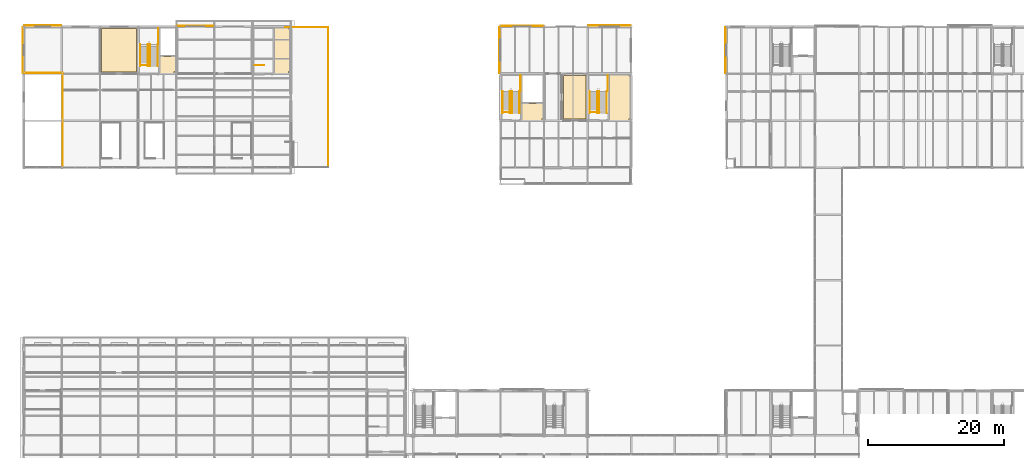
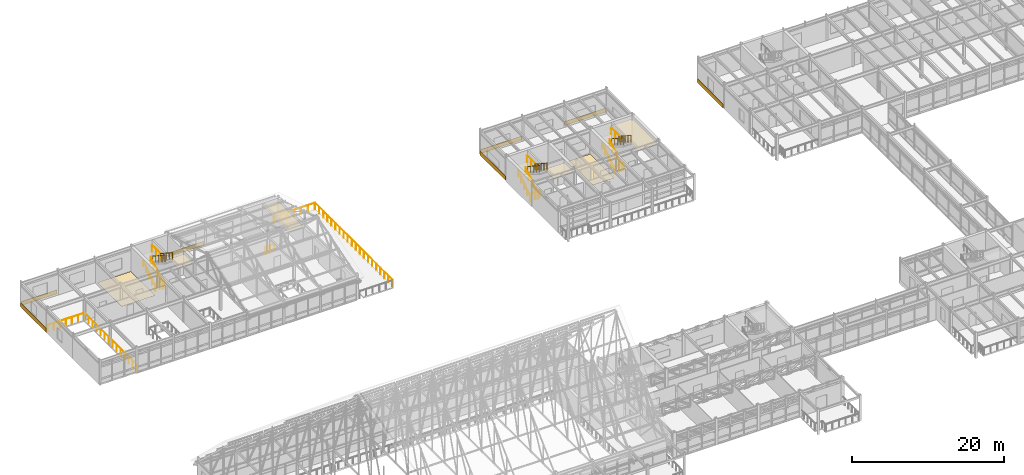
# One storey, part 143 of 144: 23 railings, 13 coverings.
"""IFC4 building model written with IfcOpenShell, lengths in metres."""

from ifc_helpers import new_model, si_unit, direction, frame, origin, origin_2d, place, context, subcontext, project, spatial, polyline, rectangle, circle, outline, extrude, material, layer, layer_set, type_object, element, save


model = new_model("IFC4")

# Units and contexts
model_context = context("Model", 3, precision=1e-05, world=origin(), true_north=direction((0.0, 1.0)))
body_context = subcontext(model_context, "Body", "Model", "MODEL_VIEW")
ifc_project = project(units=[si_unit("LENGTHUNIT", "METRE"), si_unit("AREAUNIT", "SQUARE_METRE"), si_unit("VOLUMEUNIT", "CUBIC_METRE"), si_unit("PLANEANGLEUNIT", "RADIAN"), si_unit("MASSUNIT", "GRAM", prefix="KILO")], contexts=[model_context])

# Site, building, storey
site_placement = place(None, origin())
site = spatial("IfcSite", under=ifc_project, at=site_placement, CompositionType="ELEMENT")
building_placement = place(site_placement, origin())
building = spatial("IfcBuilding", under=site, at=building_placement, Name="Trelmorton Wharf Fire Station", CompositionType="ELEMENT")
storey_placement = place(building_placement, frame((0.0, 0.0, 5.39990234375)))
storey = spatial("IfcBuildingStorey", under=building, at=storey_placement, Name="L01", CompositionType="ELEMENT", Elevation=5.39990234375)

# Coverings
ifc_material_1 = material(Name="Mineral fibre acoustic ceiling")
ifc_layer_1 = layer(ifc_material_1, 0.02001953125)
ifc_layer_set_1 = layer_set([ifc_layer_1], Name="Mineral fibre acoustic ceiling")
covering_type_1 = type_object("IfcCoveringType", Name="CV_CEIL_ACOU", PredefinedType="CEILING", material=ifc_layer_set_1)
covering_1_placement = place(storey_placement, frame((0.0, 0.0, 3.280029296875)))
element("IfcCovering", 1, at=covering_1_placement, inside=storey, type_object=covering_type_1, Name="CV-CLG-030", PredefinedType="CEILING", context=body_context, shape_type="SweptSolid", body=[
    extrude(outline(polyline([(20.760009765625, 74.139892578125), (20.760009765625, 76.659912109375), (23.159912109375, 76.659912109375), (23.159912109375, 74.39990234375), (22.89990234375, 74.39990234375), (22.89990234375, 74.139892578125), (20.760009765625, 74.139892578125)])), origin(), (0.0, 0.0, 1.0), 0.02001953125),
])
covering_2_placement = place(storey_placement, frame((0.0, 0.0, 3.280029296875)))
element("IfcCovering", 2, at=covering_2_placement, inside=storey, type_object=covering_type_1, Name="CV-CLG-033", PredefinedType="CEILING", context=body_context, shape_type="SweptSolid", body=[
    extrude(outline(polyline([(37.56005859375, 80.9599609375), (39.699951171875, 80.9599609375), (39.699951171875, 80.699951171875), (39.9599609375, 80.699951171875), (39.9599609375, 74.39990234375), (39.699951171875, 74.39990234375), (39.699951171875, 74.139892578125), (37.56005859375, 74.139892578125), (37.56005859375, 80.9599609375)])), origin(), (0.0, 0.0, 1.0), 0.02001953125),
])
covering_3_placement = place(storey_placement, frame((0.0, 0.0, 3.280029296875)))
element("IfcCovering", 3, at=covering_3_placement, inside=storey, type_object=covering_type_1, Name="CV-CLG-035", PredefinedType="CEILING", context=body_context, shape_type="SweptSolid", body=[
    extrude(outline(polyline([(73.9599609375, 67.239990234375), (73.9599609375, 69.760009765625), (77.159912109375, 69.760009765625), (77.159912109375, 67.5), (76.89990234375, 67.5), (76.89990234375, 67.239990234375), (73.9599609375, 67.239990234375)])), origin(), (0.0, 0.0, 1.0), 0.02001953125),
])
covering_4_placement = place(storey_placement, frame((0.0, 0.0, 3.280029296875)))
element("IfcCovering", 4, at=covering_4_placement, inside=storey, type_object=covering_type_1, Name="CV-CLG-042", PredefinedType="CEILING", context=body_context, shape_type="SweptSolid", body=[
    extrude(outline(polyline([(86.760009765625, 74.06005859375), (89.699951171875, 74.06005859375), (89.699951171875, 73.800048828125), (89.9599609375, 73.800048828125), (89.9599609375, 67.5), (89.699951171875, 67.5), (89.699951171875, 67.239990234375), (86.760009765625, 67.239990234375), (86.760009765625, 74.06005859375)])), origin(), (0.0, 0.0, 1.0), 0.02001953125),
])
ifc_material_2 = material(Name="Architectural terracotta cladding", Category="masonry")
ifc_layer_2 = layer(ifc_material_2, 0.044921875)
ifc_layer_set_2 = layer_set([ifc_layer_2], Name="Architectural terracotta cladding")
covering_type_2 = type_object("IfcCoveringType", Name="CV_CLAD_TER", PredefinedType="CLADDING", material=ifc_layer_set_2)
for number, where, z_axis, x_axis, name in (
    (5, (3.60009765625, 81.1650390625, 0.0302734375), (0.0, 0.0, 1.0), (1.0, 0.0, 0.0), "CV-TER-0023"),
    (6, (26.0, 81.135009765625, 0.0302734375), (0.0, 0.0, 1.0), (1.0, 0.0, 0.0), "CV-TER-0024"),
):
    element("IfcCovering", number, at=place(storey_placement, frame(where, z_axis=z_axis, x_axis=x_axis)), inside=storey, type_object=covering_type_2, Name=name, PredefinedType="CLADDING", context=body_context, shape_type="SweptSolid", body=[
        extrude(rectangle(XDim=5.469970703125, YDim=0.044921875, at=origin_2d()), origin(), (0.0, 0.0, 1.0), 0.659912109375),
    ])
covering_5_placement = place(storey_placement, frame((0.6650390625, 77.550048828125, 0.0302734375), z_axis=(0.0, 0.0, 1.0), x_axis=(0.0, 1.0, 0.0)))
element("IfcCovering", 7, at=covering_5_placement, inside=storey, type_object=covering_type_2, Name="CV-TER-0026", PredefinedType="CLADDING", context=body_context, shape_type="SweptSolid", body=[
    extrude(rectangle(XDim=6.77001953125, YDim=0.044921875, at=origin_2d()), origin(), (0.0, 0.0, 1.0), 0.659912109375),
])
for number, where, z_axis, x_axis, name in (
    (8, (74.0, 81.135009765625, 0.0302734375), (0.0, 0.0, 1.0), (1.0, 0.0, 0.0), "CV-TER-0028"),
    (9, (86.800048828125, 81.1650390625, 0.0302734375), (0.0, 0.0, 1.0), (1.0, 0.0, 0.0), "CV-TER-0029"),
):
    element("IfcCovering", number, at=place(storey_placement, frame(where, z_axis=z_axis, x_axis=x_axis)), inside=storey, type_object=covering_type_2, Name=name, PredefinedType="CLADDING", context=body_context, shape_type="SweptSolid", body=[
        extrude(rectangle(XDim=6.27001953125, YDim=0.044921875, at=origin_2d()), origin(), (0.0, 0.0, 1.0), 0.659912109375),
    ])
for number, where, z_axis, x_axis, name in (
    (10, (70.6650390625, 77.550048828125, 0.0302734375), (0.0, 0.0, 1.0), (0.0, 1.0, 0.0), "CV-TER-0030"),
    (11, (103.8349609375, 77.550048828125, 0.0302734375), (0.0, 0.0, 1.0), (0.0, 1.0, 0.0), "CV-TER-0041"),
):
    element("IfcCovering", number, at=place(storey_placement, frame(where, z_axis=z_axis, x_axis=x_axis)), inside=storey, type_object=covering_type_2, Name=name, PredefinedType="CLADDING", context=body_context, shape_type="SweptSolid", body=[
        extrude(rectangle(XDim=6.77001953125, YDim=0.044921875, at=origin_2d()), origin(), (0.0, 0.0, 1.0), 0.659912109375),
    ])
ifc_material_3 = material(Name="Quarry tile wet-area flooring")
ifc_layer_3 = layer(ifc_material_3, 0.02001953125)
ifc_layer_set_3 = layer_set([ifc_layer_3], Name="Quarry tile wet-area flooring")
covering_type_3 = type_object("IfcCoveringType", Name="CV_FLOR_TILE", PredefinedType="FLOORING", material=ifc_layer_set_3)
covering_6_placement = place(storey_placement, origin())
element("IfcCovering", 12, at=covering_6_placement, inside=storey, type_object=covering_type_3, Name="CV-FLR-021", PredefinedType="FLOORING", context=body_context, shape_type="SweptSolid", body=[
    extrude(outline(polyline([(17.35009765625, 74.35009765625), (17.35009765625, 80.75), (12.25, 80.75), (12.25, 74.35009765625), (17.35009765625, 74.35009765625)])), origin(), (0.0, 0.0, 1.0), 0.02001953125),
])
covering_7_placement = place(storey_placement, origin())
element("IfcCovering", 13, at=covering_7_placement, inside=storey, type_object=covering_type_3, Name="CV-FLR-023", PredefinedType="FLOORING", context=body_context, shape_type="SweptSolid", body=[
    extrude(outline(polyline([(83.35009765625, 67.449951171875), (83.35009765625, 73.85009765625), (80.050048828125, 73.85009765625), (80.050048828125, 67.449951171875), (83.35009765625, 67.449951171875)])), origin(), (0.0, 0.0, 1.0), 0.02001953125),
])

# Railings
ifc_material_4 = material(Name="Stainless steel 316 marine grade", Category="steel")
railing_type_1 = type_object("IfcRailingType", Name="RL_BAL_TERR", PredefinedType="BALUSTRADE", material=ifc_material_4)
railing_1_placement = place(storey_placement, frame((0.919921875, 74.219970703125, 0.0)))
element("IfcRailing", 14, at=railing_1_placement, inside=storey, type_object=railing_type_1, Name="RL-DECK-L01-004", PredefinedType="BALUSTRADE", context=body_context, shape_type="SweptSolid", body=[
    extrude(circle(Radius=0.02392578125, at=origin_2d()), frame((0.0, 0.0, 1.09619140625), z_axis=(1.0, 0.0, 0.0), x_axis=(0.0, 1.0, 0.0)), (0.0, 0.0, 1.0), 5.56005859375),
    extrude(circle(Radius=0.02099609375, at=origin_2d()), origin(), (0.0, 0.0, 1.0), 1.072021484375),
    extrude(circle(Radius=0.02099609375, at=origin_2d()), frame((0.9267578125, 0.0, 0.0)), (0.0, 0.0, 1.0), 1.072021484375),
    extrude(circle(Radius=0.02099609375, at=origin_2d()), frame((1.853271484375, 0.0, 0.0)), (0.0, 0.0, 1.0), 1.072021484375),
    extrude(circle(Radius=0.02099609375, at=origin_2d()), frame((2.780029296875, 0.0, 0.0)), (0.0, 0.0, 1.0), 1.072021484375),
    extrude(circle(Radius=0.02099609375, at=origin_2d()), frame((3.706787109375, 0.0, 0.0)), (0.0, 0.0, 1.0), 1.072021484375),
    extrude(circle(Radius=0.02099609375, at=origin_2d()), frame((4.63330078125, 0.0, 0.0)), (0.0, 0.0, 1.0), 1.072021484375),
    extrude(circle(Radius=0.02099609375, at=origin_2d()), frame((5.56005859375, 0.0, 0.0)), (0.0, 0.0, 1.0), 1.072021484375),
])
railing_2_placement = place(storey_placement, frame((6.52001953125, 74.179931640625, 0.0)))
element("IfcRailing", 15, at=railing_2_placement, inside=storey, type_object=railing_type_1, Name="RL-DECK-L01-005", PredefinedType="BALUSTRADE", context=body_context, shape_type="SweptSolid", body=[
    extrude(circle(Radius=0.02392578125, at=origin_2d()), frame((0.0, 0.0, 1.09619140625), z_axis=(0.0, -1.0, 0.0), x_axis=(1.0, 0.0, 0.0)), (0.0, 0.0, 1.0), 13.760009765625),
    extrude(circle(Radius=0.02099609375, at=origin_2d()), origin(), (0.0, 0.0, 1.0), 1.072021484375),
    extrude(circle(Radius=0.02099609375, at=origin_2d()), frame((0.0, -1.058349609375, 0.0)), (0.0, 0.0, 1.0), 1.072021484375),
    extrude(circle(Radius=0.02099609375, at=origin_2d()), frame((0.0, -2.116943359375, 0.0)), (0.0, 0.0, 1.0), 1.072021484375),
    extrude(circle(Radius=0.02099609375, at=origin_2d()), frame((0.0, -3.17529296875, 0.0)), (0.0, 0.0, 1.0), 1.072021484375),
    extrude(circle(Radius=0.02099609375, at=origin_2d()), frame((0.0, -4.23388671875, 0.0)), (0.0, 0.0, 1.0), 1.072021484375),
    extrude(circle(Radius=0.02099609375, at=origin_2d()), frame((0.0, -5.292236328125, 0.0)), (0.0, 0.0, 1.0), 1.072021484375),
    extrude(circle(Radius=0.02099609375, at=origin_2d()), frame((0.0, -6.350830078125, 0.0)), (0.0, 0.0, 1.0), 1.072021484375),
    extrude(circle(Radius=0.02099609375, at=origin_2d()), frame((0.0, -7.4091796875, 0.0)), (0.0, 0.0, 1.0), 1.072021484375),
    extrude(circle(Radius=0.02099609375, at=origin_2d()), frame((0.0, -8.4677734375, 0.0)), (0.0, 0.0, 1.0), 1.072021484375),
    extrude(circle(Radius=0.02099609375, at=origin_2d()), frame((0.0, -9.526123046875, 0.0)), (0.0, 0.0, 1.0), 1.072021484375),
    extrude(circle(Radius=0.02099609375, at=origin_2d()), frame((0.0, -10.584716796875, 0.0)), (0.0, 0.0, 1.0), 1.072021484375),
    extrude(circle(Radius=0.02099609375, at=origin_2d()), frame((0.0, -11.64306640625, 0.0)), (0.0, 0.0, 1.0), 1.072021484375),
    extrude(circle(Radius=0.02099609375, at=origin_2d()), frame((0.0, -12.70166015625, 0.0)), (0.0, 0.0, 1.0), 1.072021484375),
    extrude(circle(Radius=0.02099609375, at=origin_2d()), frame((0.0, -13.760009765625, 0.0)), (0.0, 0.0, 1.0), 1.072021484375),
])
railing_3_placement = place(storey_placement, frame((45.52001953125, 60.419921875, 0.0)))
element("IfcRailing", 16, at=railing_3_placement, inside=storey, type_object=railing_type_1, Name="RL-DECK-L01-044", PredefinedType="BALUSTRADE", context=body_context, shape_type="SweptSolid", body=[
    extrude(circle(Radius=0.02392578125, at=origin_2d()), frame((0.0, 0.0, 1.09619140625), z_axis=(0.0, 1.0, 0.0), x_axis=(-1.0, 0.0, 0.0)), (0.0, 0.0, 1.0), 20.4599609375),
    extrude(circle(Radius=0.02099609375, at=origin_2d()), origin(), (0.0, 0.0, 1.0), 1.072021484375),
    extrude(circle(Radius=0.02099609375, at=origin_2d()), frame((0.0, 1.076904296875, 0.0)), (0.0, 0.0, 1.0), 1.072021484375),
    extrude(circle(Radius=0.02099609375, at=origin_2d()), frame((0.0, 2.153564453125, 0.0)), (0.0, 0.0, 1.0), 1.072021484375),
    extrude(circle(Radius=0.02099609375, at=origin_2d()), frame((0.0, 3.23046875, 0.0)), (0.0, 0.0, 1.0), 1.072021484375),
    extrude(circle(Radius=0.02099609375, at=origin_2d()), frame((0.0, 4.307373046875, 0.0)), (0.0, 0.0, 1.0), 1.072021484375),
    extrude(circle(Radius=0.02099609375, at=origin_2d()), frame((0.0, 5.38427734375, 0.0)), (0.0, 0.0, 1.0), 1.072021484375),
    extrude(circle(Radius=0.02099609375, at=origin_2d()), frame((0.0, 6.4609375, 0.0)), (0.0, 0.0, 1.0), 1.072021484375),
    extrude(circle(Radius=0.02099609375, at=origin_2d()), frame((0.0, 7.537841796875, 0.0)), (0.0, 0.0, 1.0), 1.072021484375),
    extrude(circle(Radius=0.02099609375, at=origin_2d()), frame((0.0, 8.61474609375, 0.0)), (0.0, 0.0, 1.0), 1.072021484375),
    extrude(circle(Radius=0.02099609375, at=origin_2d()), frame((0.0, 9.691650390625, 0.0)), (0.0, 0.0, 1.0), 1.072021484375),
    extrude(circle(Radius=0.02099609375, at=origin_2d()), frame((0.0, 10.768310546875, 0.0)), (0.0, 0.0, 1.0), 1.072021484375),
    extrude(circle(Radius=0.02099609375, at=origin_2d()), frame((0.0, 11.84521484375, 0.0)), (0.0, 0.0, 1.0), 1.072021484375),
    extrude(circle(Radius=0.02099609375, at=origin_2d()), frame((0.0, 12.922119140625, 0.0)), (0.0, 0.0, 1.0), 1.072021484375),
    extrude(circle(Radius=0.02099609375, at=origin_2d()), frame((0.0, 13.9990234375, 0.0)), (0.0, 0.0, 1.0), 1.072021484375),
    extrude(circle(Radius=0.02099609375, at=origin_2d()), frame((0.0, 15.07568359375, 0.0)), (0.0, 0.0, 1.0), 1.072021484375),
    extrude(circle(Radius=0.02099609375, at=origin_2d()), frame((0.0, 16.152587890625, 0.0)), (0.0, 0.0, 1.0), 1.072021484375),
    extrude(circle(Radius=0.02099609375, at=origin_2d()), frame((0.0, 17.2294921875, 0.0)), (0.0, 0.0, 1.0), 1.072021484375),
    extrude(circle(Radius=0.02099609375, at=origin_2d()), frame((0.0, 18.306396484375, 0.0)), (0.0, 0.0, 1.0), 1.072021484375),
    extrude(circle(Radius=0.02099609375, at=origin_2d()), frame((0.0, 19.383056640625, 0.0)), (0.0, 0.0, 1.0), 1.072021484375),
    extrude(circle(Radius=0.02099609375, at=origin_2d()), frame((0.0, 20.4599609375, 0.0)), (0.0, 0.0, 1.0), 1.072021484375),
])
railing_4_placement = place(storey_placement, frame((45.47998046875, 80.919921875, 0.0)))
element("IfcRailing", 17, at=railing_4_placement, inside=storey, type_object=railing_type_1, Name="RL-DECK-L01-045", PredefinedType="BALUSTRADE", context=body_context, shape_type="SweptSolid", body=[
    extrude(circle(Radius=0.02392578125, at=origin_2d()), frame((0.0, 0.0, 1.09619140625), z_axis=(-1.0, 0.0, 0.0), x_axis=(0.0, -1.0, 0.0)), (0.0, 0.0, 1.0), 6.239990234375),
    extrude(circle(Radius=0.02099609375, at=origin_2d()), origin(), (0.0, 0.0, 1.0), 1.072021484375),
    extrude(circle(Radius=0.02099609375, at=origin_2d()), frame((-1.0400390625, 0.0, 0.0)), (0.0, 0.0, 1.0), 1.072021484375),
    extrude(circle(Radius=0.02099609375, at=origin_2d()), frame((-2.080078125, 0.0, 0.0)), (0.0, 0.0, 1.0), 1.072021484375),
    extrude(circle(Radius=0.02099609375, at=origin_2d()), frame((-3.1201171875, 0.0, 0.0)), (0.0, 0.0, 1.0), 1.072021484375),
    extrude(circle(Radius=0.02099609375, at=origin_2d()), frame((-4.159912109375, 0.0, 0.0)), (0.0, 0.0, 1.0), 1.072021484375),
    extrude(circle(Radius=0.02099609375, at=origin_2d()), frame((-5.199951171875, 0.0, 0.0)), (0.0, 0.0, 1.0), 1.072021484375),
    extrude(circle(Radius=0.02099609375, at=origin_2d()), frame((-6.239990234375, 0.0, 0.0)), (0.0, 0.0, 1.0), 1.072021484375),
])
railing_type_2 = type_object("IfcRailingType", Name="RL_HAND_900", PredefinedType="HANDRAIL", material=ifc_material_4)
for number, where, name in (
    (18, (17.909912109375, 75.239990234375, 0.0), "RL-HR1-STR-C5-L01-19"),
    (19, (71.110107421875, 68.340087890625, 0.0), "RL-HR1-STR-C6-L01-22"),
    (20, (83.909912109375, 68.340087890625, 0.0), "RL-HR1-STR-C6B-L01-28"),
):
    element("IfcRailing", number, at=place(storey_placement, frame(where)), inside=storey, type_object=railing_type_2, Name=name, PredefinedType="HANDRAIL", context=body_context, shape_type="SweptSolid", body=[
        extrude(circle(Radius=0.02099609375, at=origin_2d()), frame((0.0, 0.0, 0.87890625), z_axis=(0.0, 0.835242474824, 0.549881812983), x_axis=(-1.0, 0.0, 0.0)), (0.0, 0.0, 1.0), 3.819091796875),
        extrude(circle(Radius=0.02099609375, at=origin_2d()), origin(), (0.0, 0.0, 1.0), 0.85791015625),
        extrude(circle(Radius=0.02099609375, at=origin_2d()), frame((0.0, 0.79736328125, 0.52490234375)), (0.0, 0.0, 1.0), 0.85791015625),
        extrude(circle(Radius=0.02099609375, at=origin_2d()), frame((0.0, 1.594970703125, 1.050048828125)), (0.0, 0.0, 1.0), 0.85791015625),
        extrude(circle(Radius=0.02099609375, at=origin_2d()), frame((0.0, 2.392578125, 1.5751953125)), (0.0, 0.0, 1.0), 0.85791015625),
        extrude(circle(Radius=0.02099609375, at=origin_2d()), frame((0.0, 3.18994140625, 2.10009765625)), (0.0, 0.0, 1.0), 0.85791015625),
    ])
railing_type_3 = type_object("IfcRailingType", Name="RL_WELL_1100", PredefinedType="BALUSTRADE", material=ifc_material_4)
railing_5_placement = place(storey_placement, frame((17.9599609375, 75.360107421875, 0.0)))
element("IfcRailing", 21, at=railing_5_placement, inside=storey, type_object=railing_type_3, Name="RL-UPWELL-STR-C5-L00-18", PredefinedType="BALUSTRADE", context=body_context, shape_type="SweptSolid", body=[
    extrude(circle(Radius=0.02392578125, at=origin_2d()), frame((0.0, 0.0, 1.09619140625), z_axis=(1.0, 0.0, 0.0), x_axis=(0.0, 1.0, 0.0)), (0.0, 0.0, 1.0), 1.340087890625),
    extrude(circle(Radius=0.02099609375, at=origin_2d()), origin(), (0.0, 0.0, 1.0), 1.072021484375),
    extrude(circle(Radius=0.02099609375, at=origin_2d()), frame((0.669921875, 0.0, 0.0)), (0.0, 0.0, 1.0), 1.072021484375),
    extrude(circle(Radius=0.02099609375, at=origin_2d()), frame((1.340087890625, 0.0, 0.0)), (0.0, 0.0, 1.0), 1.072021484375),
])
railing_6_placement = place(storey_placement, frame((20.554931640625, 80.735107421875, 2.10009765625)))
element("IfcRailing", 22, at=railing_6_placement, inside=storey, type_object=railing_type_3, Name="RL-GW-OUT1-STR-C5-L01-19", PredefinedType="BALUSTRADE", context=body_context, shape_type="SweptSolid", body=[
    extrude(circle(Radius=0.02392578125, at=origin_2d()), frame((0.0, 0.0, 1.09619140625), z_axis=(0.0, -1.0, 0.0), x_axis=(1.0, 0.0, 0.0)), (0.0, 0.0, 1.0), 2.26513671875),
    extrude(circle(Radius=0.02099609375, at=origin_2d()), origin(), (0.0, 0.0, 1.0), 1.072021484375),
    extrude(circle(Radius=0.02099609375, at=origin_2d()), frame((0.0, -1.132568359375, 0.0)), (0.0, 0.0, 1.0), 1.072021484375),
    extrude(circle(Radius=0.02099609375, at=origin_2d()), frame((0.0, -2.26513671875, 0.0)), (0.0, 0.0, 1.0), 1.072021484375),
])
railing_7_placement = place(storey_placement, frame((20.489990234375, 78.429931640625, 2.10009765625)))
element("IfcRailing", 23, at=railing_7_placement, inside=storey, type_object=railing_type_3, Name="RL-GW-OUT2-STR-C5-L01-19", PredefinedType="BALUSTRADE", context=body_context, shape_type="SweptSolid", body=[
    extrude(circle(Radius=0.02392578125, at=origin_2d()), frame((0.0, 0.0, 1.09619140625), z_axis=(0.0, -0.835242474824, 0.549881812983), x_axis=(1.0, 0.0, 0.0)), (0.0, 0.0, 1.0), 3.819091796875),
    extrude(circle(Radius=0.02099609375, at=origin_2d()), origin(), (0.0, 0.0, 1.0), 1.072021484375),
    extrude(circle(Radius=0.02099609375, at=origin_2d()), frame((0.0, -0.79736328125, 0.52490234375)), (0.0, 0.0, 1.0), 1.072021484375),
    extrude(circle(Radius=0.02099609375, at=origin_2d()), frame((0.0, -1.594970703125, 1.050048828125)), (0.0, 0.0, 1.0), 1.072021484375),
    extrude(circle(Radius=0.02099609375, at=origin_2d()), frame((0.0, -2.392578125, 1.5751953125)), (0.0, 0.0, 1.0), 1.072021484375),
    extrude(circle(Radius=0.02099609375, at=origin_2d()), frame((0.0, -3.18994140625, 2.10009765625)), (0.0, 0.0, 1.0), 1.072021484375),
])
railing_8_placement = place(storey_placement, frame((19.050048828125, 75.239990234375, 0.0)))
element("IfcRailing", 24, at=railing_8_placement, inside=storey, type_object=railing_type_3, Name="RL-GW-IN1-STR-C5-L01-19", PredefinedType="BALUSTRADE", context=body_context, shape_type="SweptSolid", body=[
    extrude(circle(Radius=0.02392578125, at=origin_2d()), frame((0.0, 0.0, 1.09619140625), z_axis=(0.0, 0.835242474824, 0.549881812983), x_axis=(-1.0, 0.0, 0.0)), (0.0, 0.0, 1.0), 3.819091796875),
    extrude(circle(Radius=0.02099609375, at=origin_2d()), origin(), (0.0, 0.0, 1.0), 1.072021484375),
    extrude(circle(Radius=0.02099609375, at=origin_2d()), frame((0.0, 0.79736328125, 0.52490234375)), (0.0, 0.0, 1.0), 1.072021484375),
    extrude(circle(Radius=0.02099609375, at=origin_2d()), frame((0.0, 1.594970703125, 1.050048828125)), (0.0, 0.0, 1.0), 1.072021484375),
    extrude(circle(Radius=0.02099609375, at=origin_2d()), frame((0.0, 2.392578125, 1.5751953125)), (0.0, 0.0, 1.0), 1.072021484375),
    extrude(circle(Radius=0.02099609375, at=origin_2d()), frame((0.0, 3.18994140625, 2.10009765625)), (0.0, 0.0, 1.0), 1.072021484375),
])
railing_9_placement = place(storey_placement, frame((19.35009765625, 78.429931640625, 2.10009765625)))
element("IfcRailing", 25, at=railing_9_placement, inside=storey, type_object=railing_type_3, Name="RL-GW-IN2-STR-C5-L01-19", PredefinedType="BALUSTRADE", context=body_context, shape_type="SweptSolid", body=[
    extrude(circle(Radius=0.02392578125, at=origin_2d()), frame((0.0, 0.0, 1.09619140625), z_axis=(0.0, -0.835242474824, 0.549881812983), x_axis=(1.0, 0.0, 0.0)), (0.0, 0.0, 1.0), 3.819091796875),
    extrude(circle(Radius=0.02099609375, at=origin_2d()), origin(), (0.0, 0.0, 1.0), 1.072021484375),
    extrude(circle(Radius=0.02099609375, at=origin_2d()), frame((0.0, -0.79736328125, 0.52490234375)), (0.0, 0.0, 1.0), 1.072021484375),
    extrude(circle(Radius=0.02099609375, at=origin_2d()), frame((0.0, -1.594970703125, 1.050048828125)), (0.0, 0.0, 1.0), 1.072021484375),
    extrude(circle(Radius=0.02099609375, at=origin_2d()), frame((0.0, -2.392578125, 1.5751953125)), (0.0, 0.0, 1.0), 1.072021484375),
    extrude(circle(Radius=0.02099609375, at=origin_2d()), frame((0.0, -3.18994140625, 2.10009765625)), (0.0, 0.0, 1.0), 1.072021484375),
])
railing_10_placement = place(storey_placement, frame((34.760009765625, 75.360107421875, 0.0)))
element("IfcRailing", 26, at=railing_10_placement, inside=storey, type_object=railing_type_3, Name="RL-UPWELL-STR-C5B-L00-20", PredefinedType="BALUSTRADE", context=body_context, shape_type="SweptSolid", body=[
    extrude(circle(Radius=0.02392578125, at=origin_2d()), frame((0.0, 0.0, 1.09619140625), z_axis=(1.0, 0.0, 0.0), x_axis=(0.0, 1.0, 0.0)), (0.0, 0.0, 1.0), 1.340087890625),
    extrude(circle(Radius=0.02099609375, at=origin_2d()), origin(), (0.0, 0.0, 1.0), 1.072021484375),
    extrude(circle(Radius=0.02099609375, at=origin_2d()), frame((0.669921875, 0.0, 0.0)), (0.0, 0.0, 1.0), 1.072021484375),
    extrude(circle(Radius=0.02099609375, at=origin_2d()), frame((1.340087890625, 0.0, 0.0)), (0.0, 0.0, 1.0), 1.072021484375),
])
railing_11_placement = place(storey_placement, frame((71.159912109375, 68.4599609375, 0.0)))
element("IfcRailing", 27, at=railing_11_placement, inside=storey, type_object=railing_type_3, Name="RL-UPWELL-STR-C6-L00-21", PredefinedType="BALUSTRADE", context=body_context, shape_type="SweptSolid", body=[
    extrude(circle(Radius=0.02392578125, at=origin_2d()), frame((0.0, 0.0, 1.09619140625), z_axis=(1.0, 0.0, 0.0), x_axis=(0.0, 1.0, 0.0)), (0.0, 0.0, 1.0), 1.380126953125),
    extrude(circle(Radius=0.02099609375, at=origin_2d()), origin(), (0.0, 0.0, 1.0), 1.072021484375),
    extrude(circle(Radius=0.02099609375, at=origin_2d()), frame((0.68994140625, 0.0, 0.0)), (0.0, 0.0, 1.0), 1.072021484375),
    extrude(circle(Radius=0.02099609375, at=origin_2d()), frame((1.380126953125, 0.0, 0.0)), (0.0, 0.0, 1.0), 1.072021484375),
])
railing_12_placement = place(storey_placement, frame((73.7548828125, 73.8349609375, 2.10009765625)))
element("IfcRailing", 28, at=railing_12_placement, inside=storey, type_object=railing_type_3, Name="RL-GW-OUT1-STR-C6-L01-22", PredefinedType="BALUSTRADE", context=body_context, shape_type="SweptSolid", body=[
    extrude(circle(Radius=0.02392578125, at=origin_2d()), frame((0.0, 0.0, 1.09619140625), z_axis=(0.0, -1.0, 0.0), x_axis=(1.0, 0.0, 0.0)), (0.0, 0.0, 1.0), 2.264892578125),
    extrude(circle(Radius=0.02099609375, at=origin_2d()), origin(), (0.0, 0.0, 1.0), 1.072021484375),
    extrude(circle(Radius=0.02099609375, at=origin_2d()), frame((0.0, -1.13232421875, 0.0)), (0.0, 0.0, 1.0), 1.072021484375),
    extrude(circle(Radius=0.02099609375, at=origin_2d()), frame((0.0, -2.264892578125, 0.0)), (0.0, 0.0, 1.0), 1.072021484375),
])
railing_13_placement = place(storey_placement, frame((73.610107421875, 71.530029296875, 2.10009765625)))
element("IfcRailing", 29, at=railing_13_placement, inside=storey, type_object=railing_type_3, Name="RL-GW-OUT2-STR-C6-L01-22", PredefinedType="BALUSTRADE", context=body_context, shape_type="SweptSolid", body=[
    extrude(circle(Radius=0.02392578125, at=origin_2d()), frame((0.0, 0.0, 1.09619140625), z_axis=(0.0, -0.835242474824, 0.549881812983), x_axis=(1.0, 0.0, 0.0)), (0.0, 0.0, 1.0), 3.819091796875),
    extrude(circle(Radius=0.02099609375, at=origin_2d()), origin(), (0.0, 0.0, 1.0), 1.072021484375),
    extrude(circle(Radius=0.02099609375, at=origin_2d()), frame((0.0, -0.79736328125, 0.52490234375)), (0.0, 0.0, 1.0), 1.072021484375),
    extrude(circle(Radius=0.02099609375, at=origin_2d()), frame((0.0, -1.594970703125, 1.050048828125)), (0.0, 0.0, 1.0), 1.072021484375),
    extrude(circle(Radius=0.02099609375, at=origin_2d()), frame((0.0, -2.392578125, 1.5751953125)), (0.0, 0.0, 1.0), 1.072021484375),
    extrude(circle(Radius=0.02099609375, at=origin_2d()), frame((0.0, -3.18994140625, 2.10009765625)), (0.0, 0.0, 1.0), 1.072021484375),
])
railing_14_placement = place(storey_placement, frame((72.2099609375, 68.340087890625, 0.0)))
element("IfcRailing", 30, at=railing_14_placement, inside=storey, type_object=railing_type_3, Name="RL-GW-IN1-STR-C6-L01-22", PredefinedType="BALUSTRADE", context=body_context, shape_type="SweptSolid", body=[
    extrude(circle(Radius=0.02392578125, at=origin_2d()), frame((0.0, 0.0, 1.09619140625), z_axis=(0.0, 0.835242474824, 0.549881812983), x_axis=(-1.0, 0.0, 0.0)), (0.0, 0.0, 1.0), 3.819091796875),
    extrude(circle(Radius=0.02099609375, at=origin_2d()), origin(), (0.0, 0.0, 1.0), 1.072021484375),
    extrude(circle(Radius=0.02099609375, at=origin_2d()), frame((0.0, 0.79736328125, 0.52490234375)), (0.0, 0.0, 1.0), 1.072021484375),
    extrude(circle(Radius=0.02099609375, at=origin_2d()), frame((0.0, 1.594970703125, 1.050048828125)), (0.0, 0.0, 1.0), 1.072021484375),
    extrude(circle(Radius=0.02099609375, at=origin_2d()), frame((0.0, 2.392578125, 1.5751953125)), (0.0, 0.0, 1.0), 1.072021484375),
    extrude(circle(Radius=0.02099609375, at=origin_2d()), frame((0.0, 3.18994140625, 2.10009765625)), (0.0, 0.0, 1.0), 1.072021484375),
])
railing_15_placement = place(storey_placement, frame((72.510009765625, 71.530029296875, 2.10009765625)))
element("IfcRailing", 31, at=railing_15_placement, inside=storey, type_object=railing_type_3, Name="RL-GW-IN2-STR-C6-L01-22", PredefinedType="BALUSTRADE", context=body_context, shape_type="SweptSolid", body=[
    extrude(circle(Radius=0.02392578125, at=origin_2d()), frame((0.0, 0.0, 1.09619140625), z_axis=(0.0, -0.835242474824, 0.549881812983), x_axis=(1.0, 0.0, 0.0)), (0.0, 0.0, 1.0), 3.819091796875),
    extrude(circle(Radius=0.02099609375, at=origin_2d()), origin(), (0.0, 0.0, 1.0), 1.072021484375),
    extrude(circle(Radius=0.02099609375, at=origin_2d()), frame((0.0, -0.79736328125, 0.52490234375)), (0.0, 0.0, 1.0), 1.072021484375),
    extrude(circle(Radius=0.02099609375, at=origin_2d()), frame((0.0, -1.594970703125, 1.050048828125)), (0.0, 0.0, 1.0), 1.072021484375),
    extrude(circle(Radius=0.02099609375, at=origin_2d()), frame((0.0, -2.392578125, 1.5751953125)), (0.0, 0.0, 1.0), 1.072021484375),
    extrude(circle(Radius=0.02099609375, at=origin_2d()), frame((0.0, -3.18994140625, 2.10009765625)), (0.0, 0.0, 1.0), 1.072021484375),
])
railing_16_placement = place(storey_placement, frame((83.9599609375, 68.4599609375, 0.0)))
element("IfcRailing", 32, at=railing_16_placement, inside=storey, type_object=railing_type_3, Name="RL-UPWELL-STR-C6B-L00-27", PredefinedType="BALUSTRADE", context=body_context, shape_type="SweptSolid", body=[
    extrude(circle(Radius=0.02392578125, at=origin_2d()), frame((0.0, 0.0, 1.09619140625), z_axis=(1.0, 0.0, 0.0), x_axis=(0.0, 1.0, 0.0)), (0.0, 0.0, 1.0), 1.380126953125),
    extrude(circle(Radius=0.02099609375, at=origin_2d()), origin(), (0.0, 0.0, 1.0), 1.072021484375),
    extrude(circle(Radius=0.02099609375, at=origin_2d()), frame((0.68994140625, 0.0, 0.0)), (0.0, 0.0, 1.0), 1.072021484375),
    extrude(circle(Radius=0.02099609375, at=origin_2d()), frame((1.380126953125, 0.0, 0.0)), (0.0, 0.0, 1.0), 1.072021484375),
])
railing_17_placement = place(storey_placement, frame((86.554931640625, 73.8349609375, 2.10009765625)))
element("IfcRailing", 33, at=railing_17_placement, inside=storey, type_object=railing_type_3, Name="RL-GW-OUT1-STR-C6B-L01-28", PredefinedType="BALUSTRADE", context=body_context, shape_type="SweptSolid", body=[
    extrude(circle(Radius=0.02392578125, at=origin_2d()), frame((0.0, 0.0, 1.09619140625), z_axis=(0.0, -1.0, 0.0), x_axis=(1.0, 0.0, 0.0)), (0.0, 0.0, 1.0), 2.264892578125),
    extrude(circle(Radius=0.02099609375, at=origin_2d()), origin(), (0.0, 0.0, 1.0), 1.072021484375),
    extrude(circle(Radius=0.02099609375, at=origin_2d()), frame((0.0, -1.13232421875, 0.0)), (0.0, 0.0, 1.0), 1.072021484375),
    extrude(circle(Radius=0.02099609375, at=origin_2d()), frame((0.0, -2.264892578125, 0.0)), (0.0, 0.0, 1.0), 1.072021484375),
])
railing_18_placement = place(storey_placement, frame((86.409912109375, 71.530029296875, 2.10009765625)))
element("IfcRailing", 34, at=railing_18_placement, inside=storey, type_object=railing_type_3, Name="RL-GW-OUT2-STR-C6B-L01-28", PredefinedType="BALUSTRADE", context=body_context, shape_type="SweptSolid", body=[
    extrude(circle(Radius=0.02392578125, at=origin_2d()), frame((0.0, 0.0, 1.09619140625), z_axis=(0.0, -0.835242474824, 0.549881812983), x_axis=(1.0, 0.0, 0.0)), (0.0, 0.0, 1.0), 3.819091796875),
    extrude(circle(Radius=0.02099609375, at=origin_2d()), origin(), (0.0, 0.0, 1.0), 1.072021484375),
    extrude(circle(Radius=0.02099609375, at=origin_2d()), frame((0.0, -0.79736328125, 0.52490234375)), (0.0, 0.0, 1.0), 1.072021484375),
    extrude(circle(Radius=0.02099609375, at=origin_2d()), frame((0.0, -1.594970703125, 1.050048828125)), (0.0, 0.0, 1.0), 1.072021484375),
    extrude(circle(Radius=0.02099609375, at=origin_2d()), frame((0.0, -2.392578125, 1.5751953125)), (0.0, 0.0, 1.0), 1.072021484375),
    extrude(circle(Radius=0.02099609375, at=origin_2d()), frame((0.0, -3.18994140625, 2.10009765625)), (0.0, 0.0, 1.0), 1.072021484375),
])
railing_19_placement = place(storey_placement, frame((85.010009765625, 68.340087890625, 0.0)))
element("IfcRailing", 35, at=railing_19_placement, inside=storey, type_object=railing_type_3, Name="RL-GW-IN1-STR-C6B-L01-28", PredefinedType="BALUSTRADE", context=body_context, shape_type="SweptSolid", body=[
    extrude(circle(Radius=0.02392578125, at=origin_2d()), frame((0.0, 0.0, 1.09619140625), z_axis=(0.0, 0.835242474824, 0.549881812983), x_axis=(-1.0, 0.0, 0.0)), (0.0, 0.0, 1.0), 3.819091796875),
    extrude(circle(Radius=0.02099609375, at=origin_2d()), origin(), (0.0, 0.0, 1.0), 1.072021484375),
    extrude(circle(Radius=0.02099609375, at=origin_2d()), frame((0.0, 0.79736328125, 0.52490234375)), (0.0, 0.0, 1.0), 1.072021484375),
    extrude(circle(Radius=0.02099609375, at=origin_2d()), frame((0.0, 1.594970703125, 1.050048828125)), (0.0, 0.0, 1.0), 1.072021484375),
    extrude(circle(Radius=0.02099609375, at=origin_2d()), frame((0.0, 2.392578125, 1.5751953125)), (0.0, 0.0, 1.0), 1.072021484375),
    extrude(circle(Radius=0.02099609375, at=origin_2d()), frame((0.0, 3.18994140625, 2.10009765625)), (0.0, 0.0, 1.0), 1.072021484375),
])
railing_20_placement = place(storey_placement, frame((85.31005859375, 71.530029296875, 2.10009765625)))
element("IfcRailing", 36, at=railing_20_placement, inside=storey, type_object=railing_type_3, Name="RL-GW-IN2-STR-C6B-L01-28", PredefinedType="BALUSTRADE", context=body_context, shape_type="SweptSolid", body=[
    extrude(circle(Radius=0.02392578125, at=origin_2d()), frame((0.0, 0.0, 1.09619140625), z_axis=(0.0, -0.835242474824, 0.549881812983), x_axis=(1.0, 0.0, 0.0)), (0.0, 0.0, 1.0), 3.819091796875),
    extrude(circle(Radius=0.02099609375, at=origin_2d()), origin(), (0.0, 0.0, 1.0), 1.072021484375),
    extrude(circle(Radius=0.02099609375, at=origin_2d()), frame((0.0, -0.79736328125, 0.52490234375)), (0.0, 0.0, 1.0), 1.072021484375),
    extrude(circle(Radius=0.02099609375, at=origin_2d()), frame((0.0, -1.594970703125, 1.050048828125)), (0.0, 0.0, 1.0), 1.072021484375),
    extrude(circle(Radius=0.02099609375, at=origin_2d()), frame((0.0, -2.392578125, 1.5751953125)), (0.0, 0.0, 1.0), 1.072021484375),
    extrude(circle(Radius=0.02099609375, at=origin_2d()), frame((0.0, -3.18994140625, 2.10009765625)), (0.0, 0.0, 1.0), 1.072021484375),
])

save(model, "model.ifc")
